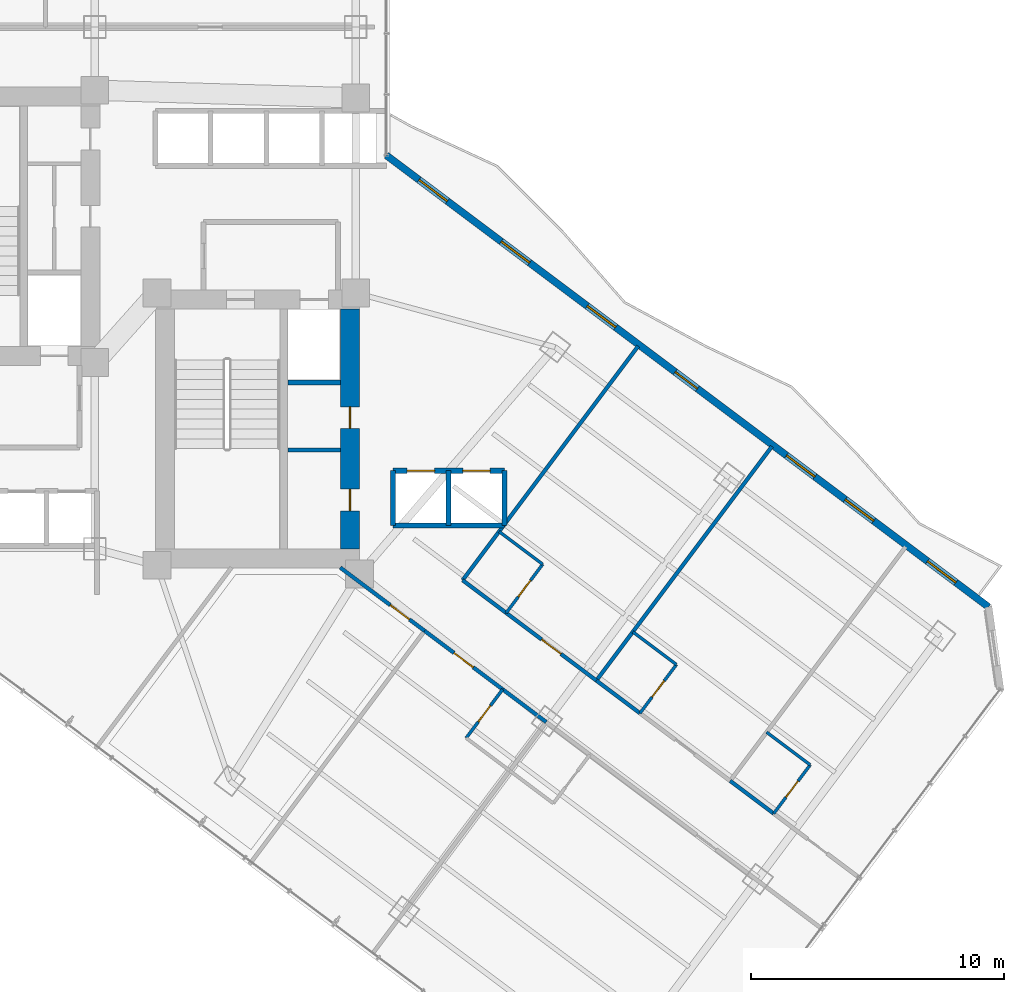
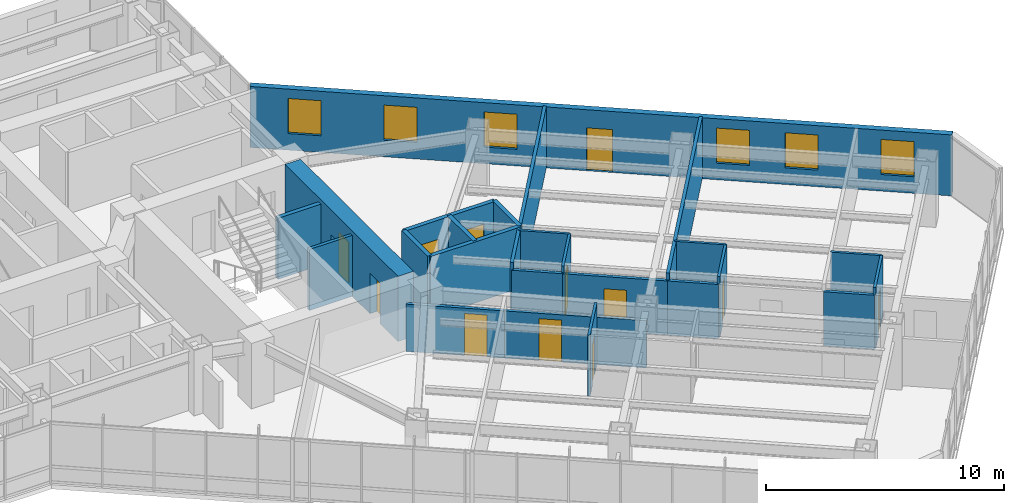
# One storey, part 29 of 36: 25 walls, 12 doors, 6 windows, 18 openings.
"""IFC4 building model written with IfcOpenShell, lengths in metres."""

from ifc_helpers import new_model, si_unit, direction, frame, frame_2d, origin, place, context, subcontext, project, spatial, rectangle, extrude, material, layer, layer_set, type_object, element, fill, save


model = new_model("IFC4")

# Units and contexts
model_context = context("Model", 3, precision=1e-05, world=origin(), true_north=direction((0.0, 1.0)))
body_context = subcontext(model_context, "Body", "Model", "MODEL_VIEW")
ifc_project = project(units=[si_unit("LENGTHUNIT", "METRE"), si_unit("AREAUNIT", "SQUARE_METRE"), si_unit("VOLUMEUNIT", "CUBIC_METRE"), si_unit("PLANEANGLEUNIT", "RADIAN"), si_unit("MASSUNIT", "GRAM", prefix="KILO")], contexts=[model_context])

# Site, building, storey
site_placement = place(None, origin())
site = spatial("IfcSite", under=ifc_project, at=site_placement, CompositionType="ELEMENT")
building_placement = place(site_placement, origin())
building = spatial("IfcBuilding", under=site, at=building_placement, Name="Hatsunagi Terrace Concourse", CompositionType="ELEMENT")
storey_placement = place(building_placement, frame((0.0, 0.0, 84.64990234375)))
storey = spatial("IfcBuildingStorey", under=building, at=storey_placement, Name="L22", CompositionType="ELEMENT", Elevation=84.64990234375)

# Wall, openings, doors
ifc_material_1 = material(Name="Concrete Fc60", Category="concrete")
ifc_layer_1 = layer(ifc_material_1, 0.75)
ifc_layer_set_1 = layer_set([ifc_layer_1], Name="CoreShearWall_Fc60_750")
wall_type_1 = type_object("IfcWallType", Name="CoreShearWall_Fc60_750", PredefinedType="SHEAR", material=ifc_layer_set_1)
wall_1_placement = place(storey_placement, frame((43.425048828125, 25.18994140625, 0.0), z_axis=(0.0, 0.0, 1.0), x_axis=(0.0, 1.0, 0.0)))
wall_1 = element("IfcWall", 1, at=wall_1_placement, inside=storey, type_object=wall_type_1, Name="Core B Shear Wall E L22", PredefinedType="SHEAR", context=body_context, shape_type="SweptSolid", body=[
    extrude(rectangle(XDim=9.47998046875, YDim=0.75, at=frame_2d((4.739990234375, 0.0))), origin(), (0.0, 0.0, 1.0), 3.35009765625),
])
opening_1_placement = place(wall_1_placement, frame((1.510009765625, 0.0, 0.0)))
opening_1 = element("IfcOpeningElement", 2, at=opening_1_placement, cuts=wall_1, Name="Opening DR-085", PredefinedType="OPENING", context=body_context, shape_type="SweptSolid", body=[
    extrude(rectangle(XDim=0.85009765625, YDim=2.080078125, at=frame_2d((0.425048828125, 1.0400390625))), frame((0.0, 0.385009765625, 0.0), z_axis=(0.0, -1.0, 0.0), x_axis=(1.0, 0.0, 0.0)), (0.0, 0.0, 1.0), 0.77001953125),
])
opening_2_placement = place(wall_1_placement, frame((4.760009765625, 0.0, 0.0)))
opening_2 = element("IfcOpeningElement", 3, at=opening_2_placement, cuts=wall_1, Name="Opening DR-085", PredefinedType="OPENING", context=body_context, shape_type="SweptSolid", body=[
    extrude(rectangle(XDim=0.85009765625, YDim=2.080078125, at=frame_2d((0.425048828125, 1.0400390625))), frame((0.0, 0.385009765625, 0.0), z_axis=(0.0, -1.0, 0.0), x_axis=(1.0, 0.0, 0.0)), (0.0, 0.0, 1.0), 0.77001953125),
])
ifc_material_2 = material(Name="Painted steel", Category="steel")
door_type_1 = type_object("IfcDoorType", Name="RiserAccessDoor_EI60_850", OperationType="NOTDEFINED", PredefinedType="DOOR", material=ifc_material_2)
door_1_placement = place(opening_1_placement, origin())
door_1 = element("IfcDoor", 4, at=door_1_placement, inside=storey, type_object=door_type_1, Name="Core B Riser Door L22-1", OperationType="SINGLE_SWING_RIGHT", OverallHeight=2.080078125, OverallWidth=0.85009765625, PredefinedType="DOOR", context=body_context, shape_type="SweptSolid", body=[
    extrude(rectangle(XDim=0.85009765625, YDim=2.080078125, at=frame_2d((0.425048828125, 1.0400390625))), frame((0.0, 0.02490234375, 0.0), z_axis=(0.0, -1.0, 0.0), x_axis=(1.0, 0.0, 0.0)), (0.0, 0.0, 1.0), 0.050048828125),
])
fill(opening_1, door_1)
door_2_placement = place(opening_2_placement, origin())
door_2 = element("IfcDoor", 5, at=door_2_placement, inside=storey, type_object=door_type_1, Name="Core B Riser Door L22-2", OperationType="SINGLE_SWING_RIGHT", OverallHeight=2.080078125, OverallWidth=0.85009765625, PredefinedType="DOOR", context=body_context, shape_type="SweptSolid", body=[
    extrude(rectangle(XDim=0.85009765625, YDim=2.080078125, at=frame_2d((0.425048828125, 1.0400390625))), frame((0.0, 0.02490234375, 0.0), z_axis=(0.0, -1.0, 0.0), x_axis=(1.0, 0.0, 0.0)), (0.0, 0.0, 1.0), 0.050048828125),
])
fill(opening_2, door_2)

# Wall, opening, door
ifc_material_3 = material(Name="Acoustic mineral board", Category="gypsum")
ifc_layer_2 = layer(ifc_material_3, 0.1201171875)
ifc_layer_set_2 = layer_set([ifc_layer_2], Name="PartitionWall_EI30_120")
wall_type_2 = type_object("IfcWallType", Name="PartitionWall_EI30_120", PredefinedType="PARTITIONING", material=ifc_layer_set_2)
wall_2_placement = place(storey_placement, frame((49.590087890625, 22.669921875, 0.0), z_axis=(0.0, 0.0, 1.0), x_axis=(0.599951172744, 0.800036618114, 0.0)))
wall_2 = element("IfcWall", 6, at=wall_2_placement, inside=storey, type_object=wall_type_2, Name="Interior Partition IW-L22-062", PredefinedType="PARTITIONING", context=body_context, shape_type="SweptSolid", body=[
    extrude(rectangle(XDim=2.400146484375, YDim=0.1201171875, at=frame_2d((1.2001953125, 0.0))), origin(), (0.0, 0.0, 1.0), 3.130126953125),
])
opening_3_placement = place(wall_2_placement, frame((0.800048828125, 0.0, 0.0)))
opening_3 = element("IfcOpeningElement", 7, at=opening_3_placement, cuts=wall_2, Name="Opening DR-080", PredefinedType="OPENING", context=body_context, shape_type="SweptSolid", body=[
    extrude(rectangle(XDim=0.800048828125, YDim=2.06005859375, at=frame_2d((0.39990234375, 1.030029296875))), frame((0.0, 0.070068359375, 0.0), z_axis=(0.0, -1.0, 0.0), x_axis=(1.0, 0.0, 0.0)), (0.0, 0.0, 1.0), 0.14013671875),
])
ifc_material_4 = material(Name="Hardwood timber", Category="wood")
door_type_2 = type_object("IfcDoorType", Name="BathroomDoor_800", OperationType="NOTDEFINED", PredefinedType="DOOR", material=ifc_material_4)
door_3_placement = place(opening_3_placement, origin())
door_3 = element("IfcDoor", 8, at=door_3_placement, inside=storey, type_object=door_type_2, Name="En-Suite Bathroom L22-SENE1 Door", OperationType="SINGLE_SWING_LEFT", OverallHeight=2.06005859375, OverallWidth=0.800048828125, PredefinedType="DOOR", context=body_context, shape_type="SweptSolid", body=[
    extrude(rectangle(XDim=0.800048828125, YDim=2.06005859375, at=frame_2d((0.39990234375, 1.030029296875))), frame((0.0, 0.02490234375, 0.0), z_axis=(0.0, -1.0, 0.0), x_axis=(1.0, 0.0, 0.0)), (0.0, 0.0, 1.0), 0.050048828125),
])
fill(opening_3, door_3)

# Wall
wall_3_placement = place(storey_placement, frame((49.31005859375, 25.8798828125, 0.0), z_axis=(0.0, 0.0, 1.0), x_axis=(0.800040880289, -0.59994548908, 0.0)))
element("IfcWall", 9, at=wall_3_placement, inside=storey, type_object=wall_type_2, Name="Interior Partition IW-L22-063", PredefinedType="PARTITIONING", context=body_context, shape_type="SweptSolid", body=[
    extrude(rectangle(XDim=2.14990234375, YDim=0.1201171875, at=frame_2d((1.074951171875, 0.0))), origin(), (0.0, 0.0, 1.0), 3.130126953125),
])

# Wall, opening, door
wall_4_placement = place(storey_placement, frame((54.8701171875, 18.7099609375, 0.0), z_axis=(0.0, 0.0, 1.0), x_axis=(0.6, 0.8, 0.0)))
wall_4 = element("IfcWall", 10, at=wall_4_placement, inside=storey, type_object=wall_type_2, Name="Interior Partition IW-L22-068", PredefinedType="PARTITIONING", context=body_context, shape_type="SweptSolid", body=[
    extrude(rectangle(XDim=2.39990234375, YDim=0.1201171875, at=frame_2d((1.199951171875, 0.0))), origin(), (0.0, 0.0, 1.0), 3.130126953125),
])
opening_4_placement = place(wall_4_placement, frame((0.800048828125, 0.0, 0.0)))
opening_4 = element("IfcOpeningElement", 11, at=opening_4_placement, cuts=wall_4, Name="Opening DR-080", PredefinedType="OPENING", context=body_context, shape_type="SweptSolid", body=[
    extrude(rectangle(XDim=0.800048828125, YDim=2.06005859375, at=frame_2d((0.39990234375, 1.030029296875))), frame((0.0, 0.070068359375, 0.0), z_axis=(0.0, -1.0, 0.0), x_axis=(1.0, 0.0, 0.0)), (0.0, 0.0, 1.0), 0.14013671875),
])
door_4_placement = place(opening_4_placement, origin())
door_4 = element("IfcDoor", 12, at=door_4_placement, inside=storey, type_object=door_type_2, Name="En-Suite Bathroom L22-SENE2 Door", OperationType="SINGLE_SWING_RIGHT", OverallHeight=2.06005859375, OverallWidth=0.800048828125, PredefinedType="DOOR", context=body_context, shape_type="SweptSolid", body=[
    extrude(rectangle(XDim=0.800048828125, YDim=2.06005859375, at=frame_2d((0.39990234375, 1.030029296875))), frame((0.0, 0.02490234375, 0.0), z_axis=(0.0, -1.0, 0.0), x_axis=(1.0, 0.0, 0.0)), (0.0, 0.0, 1.0), 0.050048828125),
])
fill(opening_4, door_4)

# Wall
wall_5_placement = place(storey_placement, frame((54.590087890625, 21.919921875, 0.0), z_axis=(0.0, 0.0, 1.0), x_axis=(0.79998637334, -0.60001816845, 0.0)))
element("IfcWall", 13, at=wall_5_placement, inside=storey, type_object=wall_type_2, Name="Interior Partition IW-L22-069", PredefinedType="PARTITIONING", context=body_context, shape_type="SweptSolid", body=[
    extrude(rectangle(XDim=2.14990234375, YDim=0.1201171875, at=frame_2d((1.074951171875, 0.0))), origin(), (0.0, 0.0, 1.0), 3.130126953125),
])

# Wall, opening, door
wall_6_placement = place(storey_placement, frame((60.14990234375, 14.75, 0.0), z_axis=(0.0, 0.0, 1.0), x_axis=(0.600065100855, 0.79995117022, 0.0)))
wall_6 = element("IfcWall", 14, at=wall_6_placement, inside=storey, type_object=wall_type_2, Name="Interior Partition IW-L22-073", PredefinedType="PARTITIONING", context=body_context, shape_type="SweptSolid", body=[
    extrude(rectangle(XDim=2.400146484375, YDim=0.1201171875, at=frame_2d((1.2001953125, 0.0))), origin(), (0.0, 0.0, 1.0), 3.130126953125),
])
opening_5_placement = place(wall_6_placement, frame((0.800048828125, 0.0, 0.0)))
opening_5 = element("IfcOpeningElement", 15, at=opening_5_placement, cuts=wall_6, Name="Opening DR-080", PredefinedType="OPENING", context=body_context, shape_type="SweptSolid", body=[
    extrude(rectangle(XDim=0.800048828125, YDim=2.06005859375, at=frame_2d((0.39990234375, 1.030029296875))), frame((0.0, 0.070068359375, 0.0), z_axis=(0.0, -1.0, 0.0), x_axis=(1.0, 0.0, 0.0)), (0.0, 0.0, 1.0), 0.14013671875),
])
door_5_placement = place(opening_5_placement, origin())
door_5 = element("IfcDoor", 16, at=door_5_placement, inside=storey, type_object=door_type_2, Name="En-Suite Bathroom L22-SENE3 Door", OperationType="SINGLE_SWING_LEFT", OverallHeight=2.06005859375, OverallWidth=0.800048828125, PredefinedType="DOOR", context=body_context, shape_type="SweptSolid", body=[
    extrude(rectangle(XDim=0.800048828125, YDim=2.06005859375, at=frame_2d((0.39990234375, 1.030029296875))), frame((0.0, 0.02490234375, 0.0), z_axis=(0.0, -1.0, 0.0), x_axis=(1.0, 0.0, 0.0)), (0.0, 0.0, 1.0), 0.050048828125),
])
fill(opening_5, door_5)

# Wall
wall_7_placement = place(storey_placement, frame((59.8701171875, 17.9599609375, 0.0), z_axis=(0.0, 0.0, 1.0), x_axis=(0.79998637334, -0.60001816845, 0.0)))
element("IfcWall", 17, at=wall_7_placement, inside=storey, type_object=wall_type_2, Name="Interior Partition IW-L22-074", PredefinedType="PARTITIONING", context=body_context, shape_type="SweptSolid", body=[
    extrude(rectangle(XDim=2.14990234375, YDim=0.1201171875, at=frame_2d((1.074951171875, 0.0))), origin(), (0.0, 0.0, 1.0), 3.130126953125),
])

# Wall, opening, door
wall_8_placement = place(storey_placement, frame((48.010009765625, 17.72998046875, 0.0), z_axis=(0.0, 0.0, 1.0), x_axis=(0.6, 0.8, 0.0)))
wall_8 = element("IfcWall", 18, at=wall_8_placement, inside=storey, type_object=wall_type_2, Name="Interior Partition IW-L22-077", PredefinedType="PARTITIONING", context=body_context, shape_type="SweptSolid", body=[
    extrude(rectangle(XDim=2.39990234375, YDim=0.1201171875, at=frame_2d((1.199951171875, 0.0))), origin(), (0.0, 0.0, 1.0), 3.130126953125),
])
opening_6_placement = place(wall_8_placement, frame((0.800048828125, 0.0, 0.0)))
opening_6 = element("IfcOpeningElement", 19, at=opening_6_placement, cuts=wall_8, Name="Opening DR-080", PredefinedType="OPENING", context=body_context, shape_type="SweptSolid", body=[
    extrude(rectangle(XDim=0.800048828125, YDim=2.06005859375, at=frame_2d((0.39990234375, 1.030029296875))), frame((0.0, 0.070068359375, 0.0), z_axis=(0.0, -1.0, 0.0), x_axis=(1.0, 0.0, 0.0)), (0.0, 0.0, 1.0), 0.14013671875),
])
door_6_placement = place(opening_6_placement, origin())
door_6 = element("IfcDoor", 20, at=door_6_placement, inside=storey, type_object=door_type_2, Name="En-Suite Bathroom L22-SESW1 Door", OperationType="SINGLE_SWING_LEFT", OverallHeight=2.06005859375, OverallWidth=0.800048828125, PredefinedType="DOOR", context=body_context, shape_type="SweptSolid", body=[
    extrude(rectangle(XDim=0.800048828125, YDim=2.06005859375, at=frame_2d((0.39990234375, 1.030029296875))), frame((0.0, 0.02490234375, 0.0), z_axis=(0.0, -1.0, 0.0), x_axis=(1.0, 0.0, 0.0)), (0.0, 0.0, 1.0), 0.050048828125),
])
fill(opening_6, door_6)

# Wall
ifc_material_5 = material(Name="Acoustic mineral board", Category="gypsum")
ifc_layer_3 = layer(ifc_material_5, 0.14990234375)
ifc_layer_set_3 = layer_set([ifc_layer_3], Name="PartitionWall_EI60_150")
wall_type_3 = type_object("IfcWallType", Name="PartitionWall_EI60_150", PredefinedType="PARTITIONING", material=ifc_layer_set_3)
wall_9_placement = place(storey_placement, frame((40.969970703125, 29.10009765625, 0.0), z_axis=(0.0, 0.0, 1.0), x_axis=(1.0, 0.0, 0.0)))
element("IfcWall", 21, at=wall_9_placement, inside=storey, type_object=wall_type_3, Name="Interior Partition IW-L22-005", PredefinedType="PARTITIONING", context=body_context, shape_type="SweptSolid", body=[
    extrude(rectangle(XDim=2.080078125, YDim=0.14990234375, at=frame_2d((1.0400390625, 0.0))), origin(), (0.0, 0.0, 1.0), 3.130126953125),
])

# Wall, opening, door
wall_10_placement = place(storey_placement, frame((43.037109375, 24.4599609375, 0.0), z_axis=(0.0, 0.0, 1.0), x_axis=(0.799971872363, -0.600037501685, 0.0)))
wall_10 = element("IfcWall", 22, at=wall_10_placement, inside=storey, type_object=wall_type_3, Name="Interior Partition IW-L22-042", PredefinedType="PARTITIONING", context=body_context, shape_type="SweptSolid", body=[
    extrude(rectangle(XDim=4.16650390625, YDim=0.14990234375, at=frame_2d((2.083251953125, 0.0))), origin(), (0.0, 0.0, 1.0), 2.425048828125),
])
opening_7_placement = place(wall_10_placement, frame((2.468017578125, 0.0, 0.0)))
opening_7 = element("IfcOpeningElement", 23, at=opening_7_placement, cuts=wall_10, Name="Opening DR-095", PredefinedType="OPENING", context=body_context, shape_type="SweptSolid", body=[
    extrude(rectangle(XDim=0.949951171875, YDim=2.14990234375, at=frame_2d((0.47509765625, 1.074951171875))), frame((0.0, 0.0849609375, 0.0), z_axis=(0.0, -1.0, 0.0), x_axis=(1.0, 0.0, 0.0)), (0.0, 0.0, 1.0), 0.169921875),
])
ifc_material_6 = material(Name="Hardwood timber", Category="wood")
door_type_3 = type_object("IfcDoorType", Name="InteriorSuiteDoor_EI30_950", OperationType="NOTDEFINED", PredefinedType="DOOR", material=ifc_material_6)
door_7_placement = place(opening_7_placement, origin())
door_7 = element("IfcDoor", 24, at=door_7_placement, inside=storey, type_object=door_type_3, Name="Meeting Room L22-HMTG Door", OperationType="SINGLE_SWING_RIGHT", OverallHeight=2.14990234375, OverallWidth=0.949951171875, PredefinedType="DOOR", context=body_context, shape_type="SweptSolid", body=[
    extrude(rectangle(XDim=0.949951171875, YDim=2.14990234375, at=frame_2d((0.47509765625, 1.074951171875))), frame((0.0, 0.02490234375, 0.0), z_axis=(0.0, -1.0, 0.0), x_axis=(1.0, 0.0, 0.0)), (0.0, 0.0, 1.0), 0.050048828125),
])
fill(opening_7, door_7)

# Wall
wall_11_placement = place(storey_placement, frame((47.8701171875, 23.9599609375, 0.0), z_axis=(0.0, 0.0, 1.0), x_axis=(0.79998637334, -0.60001816845, 0.0)))
element("IfcWall", 25, at=wall_11_placement, inside=storey, type_object=wall_type_3, Name="Interior Partition IW-L22-060", PredefinedType="PARTITIONING", context=body_context, shape_type="SweptSolid", body=[
    extrude(rectangle(XDim=2.14990234375, YDim=0.14990234375, at=frame_2d((1.074951171875, 0.0))), origin(), (0.0, 0.0, 1.0), 2.775146484375),
])

# Wall, opening, door
wall_12_placement = place(storey_placement, frame((49.590087890625, 22.669921875, 0.0), z_axis=(0.0, 0.0, 1.0), x_axis=(0.799993416095, -0.600008778439, 0.0)))
wall_12 = element("IfcWall", 26, at=wall_12_placement, inside=storey, type_object=wall_type_3, Name="Interior Partition IW-L22-061", PredefinedType="PARTITIONING", context=body_context, shape_type="SweptSolid", body=[
    extrude(rectangle(XDim=4.44970703125, YDim=0.14990234375, at=frame_2d((2.224853515625, 0.0))), origin(), (0.0, 0.0, 1.0), 2.775146484375),
])
opening_8_placement = place(wall_12_placement, frame((1.75, 0.0, 0.0)))
opening_8 = element("IfcOpeningElement", 27, at=opening_8_placement, cuts=wall_12, Name="Opening DR-095", PredefinedType="OPENING", context=body_context, shape_type="SweptSolid", body=[
    extrude(rectangle(XDim=0.949951171875, YDim=2.14990234375, at=frame_2d((0.47509765625, 1.074951171875))), frame((0.0, 0.0849609375, 0.0), z_axis=(0.0, -1.0, 0.0), x_axis=(1.0, 0.0, 0.0)), (0.0, 0.0, 1.0), 0.169921875),
])
door_8_placement = place(opening_8_placement, origin())
door_8 = element("IfcDoor", 28, at=door_8_placement, inside=storey, type_object=door_type_3, Name="Hotel Guest Room L22-SENE1 Door", OperationType="SINGLE_SWING_LEFT", OverallHeight=2.14990234375, OverallWidth=0.949951171875, PredefinedType="DOOR", context=body_context, shape_type="SweptSolid", body=[
    extrude(rectangle(XDim=0.949951171875, YDim=2.14990234375, at=frame_2d((0.47509765625, 1.074951171875))), frame((0.0, 0.02490234375, 0.0), z_axis=(0.0, -1.0, 0.0), x_axis=(1.0, 0.0, 0.0)), (0.0, 0.0, 1.0), 0.050048828125),
])
fill(opening_8, door_8)

# Walls
for number, where, z_axis, x_axis, name in (
    (29, (47.8701171875, 23.9599609375, 0.0), (0.0, 0.0, 1.0), (0.599996617946, 0.80000253653, 0.0), "Interior Partition IW-L22-064"),
    (30, (53.14990234375, 20.0, 0.0), (0.0, 0.0, 1.0), (0.60001014597, 0.799992390422, 0.0), "Interior Partition IW-L22-065"),
):
    element("IfcWall", number, at=place(storey_placement, frame(where, z_axis=z_axis, x_axis=x_axis)), inside=storey, type_object=wall_type_3, Name=name, PredefinedType="PARTITIONING", context=body_context, shape_type="SweptSolid", body=[
        extrude(rectangle(XDim=11.550048828125, YDim=0.14990234375, at=frame_2d((5.77490234375, 0.0))), origin(), (0.0, 0.0, 1.0), 3.130126953125),
    ])
wall_13_placement = place(storey_placement, frame((53.14990234375, 20.0, 0.0), z_axis=(0.0, 0.0, 1.0), x_axis=(0.800027249606, -0.599963665473, 0.0)))
element("IfcWall", 31, at=wall_13_placement, inside=storey, type_object=wall_type_3, Name="Interior Partition IW-L22-066", PredefinedType="PARTITIONING", context=body_context, shape_type="SweptSolid", body=[
    extrude(rectangle(XDim=2.150146484375, YDim=0.14990234375, at=frame_2d((1.0751953125, 0.0))), origin(), (0.0, 0.0, 1.0), 2.775146484375),
])
wall_14_placement = place(storey_placement, frame((58.429931640625, 16.0400390625, 0.0), z_axis=(0.0, 0.0, 1.0), x_axis=(0.79998637334, -0.60001816845, 0.0)))
element("IfcWall", 32, at=wall_14_placement, inside=storey, type_object=wall_type_3, Name="Interior Partition IW-L22-071", PredefinedType="PARTITIONING", context=body_context, shape_type="SweptSolid", body=[
    extrude(rectangle(XDim=2.14990234375, YDim=0.14990234375, at=frame_2d((1.074951171875, 0.0))), origin(), (0.0, 0.0, 1.0), 2.775146484375),
])

# Wall, opening, door
wall_15_placement = place(storey_placement, frame((46.3701171875, 21.9599609375, 0.0), z_axis=(0.0, 0.0, 1.0), x_axis=(0.799977170108, -0.600030438649, 0.0)))
wall_15 = element("IfcWall", 33, at=wall_15_placement, inside=storey, type_object=wall_type_3, Name="Interior Partition IW-L22-075", PredefinedType="PARTITIONING", context=body_context, shape_type="SweptSolid", body=[
    extrude(rectangle(XDim=3.849853515625, YDim=0.14990234375, at=frame_2d((1.9248046875, 0.0))), origin(), (0.0, 0.0, 1.0), 2.425048828125),
])
opening_9_placement = place(wall_15_placement, frame((1.449951171875, 0.0, 0.0)))
opening_9 = element("IfcOpeningElement", 34, at=opening_9_placement, cuts=wall_15, Name="Opening DR-095", PredefinedType="OPENING", context=body_context, shape_type="SweptSolid", body=[
    extrude(rectangle(XDim=0.949951171875, YDim=2.14990234375, at=frame_2d((0.47509765625, 1.074951171875))), frame((0.0, 0.0849609375, 0.0), z_axis=(0.0, -1.0, 0.0), x_axis=(1.0, 0.0, 0.0)), (0.0, 0.0, 1.0), 0.169921875),
])
door_9_placement = place(opening_9_placement, origin())
door_9 = element("IfcDoor", 35, at=door_9_placement, inside=storey, type_object=door_type_3, Name="Hotel Guest Room L22-SESW1 Door", OperationType="SINGLE_SWING_RIGHT", OverallHeight=2.14990234375, OverallWidth=0.949951171875, PredefinedType="DOOR", context=body_context, shape_type="SweptSolid", body=[
    extrude(rectangle(XDim=0.949951171875, YDim=2.14990234375, at=frame_2d((0.47509765625, 1.074951171875))), frame((0.0, 0.02490234375, 0.0), z_axis=(0.0, -1.0, 0.0), x_axis=(1.0, 0.0, 0.0)), (0.0, 0.0, 1.0), 0.050048828125),
])
fill(opening_9, door_9)

# Walls
wall_16_placement = place(storey_placement, frame((49.449951171875, 19.64990234375, 0.0), z_axis=(0.0, 0.0, 1.0), x_axis=(0.800040880289, -0.59994548908, 0.0)))
element("IfcWall", 36, at=wall_16_placement, inside=storey, type_object=wall_type_3, Name="Interior Partition IW-L22-076", PredefinedType="PARTITIONING", context=body_context, shape_type="SweptSolid", body=[
    extrude(rectangle(XDim=2.14990234375, YDim=0.14990234375, at=frame_2d((1.074951171875, 0.0))), origin(), (0.0, 0.0, 1.0), 2.425048828125),
])
ifc_material_7 = material(Name="Acoustic mineral board", Category="gypsum")
ifc_layer_4 = layer(ifc_material_7, 0.199951171875)
ifc_layer_set_4 = layer_set([ifc_layer_4], Name="ShaftWall_EI120_200")
wall_type_4 = type_object("IfcWallType", Name="ShaftWall_EI120_200", PredefinedType="STANDARD", material=ifc_layer_set_4)
wall_17_placement = place(storey_placement, frame((40.969970703125, 31.760009765625, 0.0), z_axis=(0.0, 0.0, 1.0), x_axis=(1.0, 0.0, 0.0)))
element("IfcWall", 37, at=wall_17_placement, inside=storey, type_object=wall_type_4, Name="Interior Partition IW-L22-004", PredefinedType="STANDARD", context=body_context, shape_type="SweptSolid", body=[
    extrude(rectangle(XDim=2.080078125, YDim=0.199951171875, at=frame_2d((1.0400390625, 0.0))), origin(), (0.0, 0.0, 1.0), 3.130126953125),
])
wall_18_placement = place(storey_placement, frame((45.1201171875, 26.1201171875, 0.0), z_axis=(0.0, 0.0, 1.0), x_axis=(1.0, 0.0, 0.0)))
element("IfcWall", 38, at=wall_18_placement, inside=storey, type_object=wall_type_4, Name="Interior Partition IW-L22-025", PredefinedType="STANDARD", context=body_context, shape_type="SweptSolid", body=[
    extrude(rectangle(XDim=4.39990234375, YDim=0.199951171875, at=frame_2d((2.199951171875, 0.0))), origin(), (0.0, 0.0, 1.0), 3.130126953125),
])
for number, where, z_axis, x_axis, name in (
    (39, (45.1201171875, 26.1201171875, 0.0), (0.0, 0.0, 1.0), (0.0, 1.0, 0.0), "Interior Partition IW-L22-026"),
    (40, (49.52001953125, 26.1201171875, 0.0), (0.0, 0.0, 1.0), (0.0, 1.0, 0.0), "Interior Partition IW-L22-027"),
    (41, (47.320068359375, 26.1201171875, 0.0), (0.0, 0.0, 1.0), (0.0, 1.0, 0.0), "Interior Partition IW-L22-028"),
):
    element("IfcWall", number, at=place(storey_placement, frame(where, z_axis=z_axis, x_axis=x_axis)), inside=storey, type_object=wall_type_4, Name=name, PredefinedType="STANDARD", context=body_context, shape_type="SweptSolid", body=[
        extrude(rectangle(XDim=2.159912109375, YDim=0.199951171875, at=frame_2d((1.080078125, 0.0))), origin(), (0.0, 0.0, 1.0), 3.130126953125),
    ])

# Wall, openings, doors
wall_19_placement = place(storey_placement, frame((45.1201171875, 28.280029296875, 0.0), z_axis=(0.0, 0.0, 1.0), x_axis=(1.0, 0.0, 0.0)))
wall_19 = element("IfcWall", 42, at=wall_19_placement, inside=storey, type_object=wall_type_4, Name="Interior Partition IW-L22-029", PredefinedType="STANDARD", context=body_context, shape_type="SweptSolid", body=[
    extrude(rectangle(XDim=4.39990234375, YDim=0.199951171875, at=frame_2d((2.199951171875, 0.0))), origin(), (0.0, 0.0, 1.0), 3.130126953125),
])
opening_10_placement = place(wall_19_placement, frame((0.56005859375, 0.0, 0.0)))
opening_10 = element("IfcOpeningElement", 43, at=opening_10_placement, cuts=wall_19, Name="Opening LD-03", PredefinedType="OPENING", context=body_context, shape_type="SweptSolid", body=[
    extrude(rectangle(XDim=1.080078125, YDim=2.14990234375, at=frame_2d((0.5400390625, 1.074951171875))), frame((0.0, 0.10986328125, 0.0), z_axis=(0.0, -1.0, 0.0), x_axis=(1.0, 0.0, 0.0)), (0.0, 0.0, 1.0), 0.219970703125),
])
opening_11_placement = place(wall_19_placement, frame((2.760009765625, 0.0, 0.0)))
opening_11 = element("IfcOpeningElement", 44, at=opening_11_placement, cuts=wall_19, Name="Opening LD-03", PredefinedType="OPENING", context=body_context, shape_type="SweptSolid", body=[
    extrude(rectangle(XDim=1.080078125, YDim=2.14990234375, at=frame_2d((0.5400390625, 1.074951171875))), frame((0.0, 0.10986328125, 0.0), z_axis=(0.0, -1.0, 0.0), x_axis=(1.0, 0.0, 0.0)), (0.0, 0.0, 1.0), 0.219970703125),
])
ifc_material_8 = material(Name="Stainless steel", Category="steel")
door_type_4 = type_object("IfcDoorType", Name="LiftLandingDoor_LD03", OperationType="SLIDING_TO_LEFT", PredefinedType="USERDEFINED", material=ifc_material_8)
door_10_placement = place(opening_10_placement, origin())
door_10 = element("IfcDoor", 45, at=door_10_placement, inside=storey, type_object=door_type_4, Name="Lift landing door PL-09 L22", ObjectType="SLIDING_LANDING_DOOR", OperationType="SLIDING_TO_LEFT", OverallHeight=2.14990234375, OverallWidth=1.080078125, PredefinedType="USERDEFINED", context=body_context, shape_type="SweptSolid", body=[
    extrude(rectangle(XDim=1.080078125, YDim=2.14990234375, at=frame_2d((0.5400390625, 1.074951171875))), frame((0.0, 0.02490234375, 0.0), z_axis=(0.0, -1.0, 0.0), x_axis=(1.0, 0.0, 0.0)), (0.0, 0.0, 1.0), 0.050048828125),
])
fill(opening_10, door_10)
door_11_placement = place(opening_11_placement, origin())
door_11 = element("IfcDoor", 46, at=door_11_placement, inside=storey, type_object=door_type_4, Name="Lift landing door PL-10 L22", ObjectType="SLIDING_LANDING_DOOR", OperationType="SLIDING_TO_LEFT", OverallHeight=2.14990234375, OverallWidth=1.080078125, PredefinedType="USERDEFINED", context=body_context, shape_type="SweptSolid", body=[
    extrude(rectangle(XDim=1.080078125, YDim=2.14990234375, at=frame_2d((0.5400390625, 1.074951171875))), frame((0.0, 0.02490234375, 0.0), z_axis=(0.0, -1.0, 0.0), x_axis=(1.0, 0.0, 0.0)), (0.0, 0.0, 1.0), 0.050048828125),
])
fill(opening_11, door_11)

# Wall, openings, door, windows
ifc_material_9 = material(Name="Autoclaved Lightweight Concrete and Terracotta Cladding", Category="masonry")
ifc_layer_5 = layer(ifc_material_9, 0.280029296875)
ifc_layer_set_5 = layer_set([ifc_layer_5], Name="TerracottaSpandrelWall_280")
wall_type_5 = type_object("IfcWallType", Name="TerracottaSpandrelWall_280", PredefinedType="STANDARD", material=ifc_layer_set_5)
wall_20_placement = place(storey_placement, frame((44.860107421875, 40.72998046875, 0.0), z_axis=(0.0, 0.0, 1.0), x_axis=(0.800006902154, -0.599990797017, 0.0)))
wall_20 = element("IfcWall", 47, at=wall_20_placement, inside=storey, type_object=wall_type_5, Name="Exterior Spandrel Wall EW-L22-01", PredefinedType="STANDARD", context=body_context, shape_type="SweptSolid", body=[
    extrude(rectangle(XDim=29.7119140625, YDim=0.280029296875, at=frame_2d((14.85595703125, 0.0))), origin(), (0.0, 0.0, 1.0), 3.130126953125),
])
opening_12_placement = place(wall_20_placement, frame((14.2490234375, 0.0, 0.0)))
opening_12 = element("IfcOpeningElement", 48, at=opening_12_placement, cuts=wall_20, Name="Opening BD-01", PredefinedType="OPENING", context=body_context, shape_type="SweptSolid", body=[
    extrude(rectangle(XDim=1.10009765625, YDim=2.199951171875, at=frame_2d((0.550048828125, 1.10009765625))), frame((0.0, 0.14990234375, 0.0), z_axis=(0.0, -1.0, 0.0), x_axis=(1.0, 0.0, 0.0)), (0.0, 0.0, 1.0), 0.300048828125),
])
opening_13_placement = place(wall_20_placement, frame((1.612060546875, 0.0, 0.85009765625)))
opening_13 = element("IfcOpeningElement", 49, at=opening_13_placement, cuts=wall_20, Name="Opening WIN-02", PredefinedType="OPENING", context=body_context, shape_type="SweptSolid", body=[
    extrude(rectangle(XDim=1.39990234375, YDim=1.800048828125, at=frame_2d((0.699951171875, 0.89990234375))), frame((0.0, 0.14990234375, 0.0), z_axis=(0.0, -1.0, 0.0), x_axis=(1.0, 0.0, 0.0)), (0.0, 0.0, 1.0), 0.300048828125),
])
opening_14_placement = place(wall_20_placement, frame((5.6669921875, 0.0, 0.85009765625)))
opening_14 = element("IfcOpeningElement", 50, at=opening_14_placement, cuts=wall_20, Name="Opening WIN-02", PredefinedType="OPENING", context=body_context, shape_type="SweptSolid", body=[
    extrude(rectangle(XDim=1.39990234375, YDim=1.800048828125, at=frame_2d((0.699951171875, 0.89990234375))), frame((0.0, 0.14990234375, 0.0), z_axis=(0.0, -1.0, 0.0), x_axis=(1.0, 0.0, 0.0)), (0.0, 0.0, 1.0), 0.300048828125),
])
opening_15_placement = place(wall_20_placement, frame((9.912109375, 0.0, 0.85009765625)))
opening_15 = element("IfcOpeningElement", 51, at=opening_15_placement, cuts=wall_20, Name="Opening WIN-02", PredefinedType="OPENING", context=body_context, shape_type="SweptSolid", body=[
    extrude(rectangle(XDim=1.39990234375, YDim=1.800048828125, at=frame_2d((0.699951171875, 0.89990234375))), frame((0.0, 0.14990234375, 0.0), z_axis=(0.0, -1.0, 0.0), x_axis=(1.0, 0.0, 0.0)), (0.0, 0.0, 1.0), 0.300048828125),
])
opening_16_placement = place(wall_20_placement, frame((19.742919921875, 0.0, 0.85009765625)))
opening_16 = element("IfcOpeningElement", 52, at=opening_16_placement, cuts=wall_20, Name="Opening WIN-02", PredefinedType="OPENING", context=body_context, shape_type="SweptSolid", body=[
    extrude(rectangle(XDim=1.39990234375, YDim=1.800048828125, at=frame_2d((0.699951171875, 0.89990234375))), frame((0.0, 0.14990234375, 0.0), z_axis=(0.0, -1.0, 0.0), x_axis=(1.0, 0.0, 0.0)), (0.0, 0.0, 1.0), 0.300048828125),
])
opening_17_placement = place(wall_20_placement, frame((22.64501953125, 0.0, 0.85009765625)))
opening_17 = element("IfcOpeningElement", 53, at=opening_17_placement, cuts=wall_20, Name="Opening WIN-02", PredefinedType="OPENING", context=body_context, shape_type="SweptSolid", body=[
    extrude(rectangle(XDim=1.39990234375, YDim=1.800048828125, at=frame_2d((0.699951171875, 0.89990234375))), frame((0.0, 0.14990234375, 0.0), z_axis=(0.0, -1.0, 0.0), x_axis=(1.0, 0.0, 0.0)), (0.0, 0.0, 1.0), 0.300048828125),
])
opening_18_placement = place(wall_20_placement, frame((26.699951171875, 0.0, 0.85009765625)))
opening_18 = element("IfcOpeningElement", 54, at=opening_18_placement, cuts=wall_20, Name="Opening WIN-02", PredefinedType="OPENING", context=body_context, shape_type="SweptSolid", body=[
    extrude(rectangle(XDim=1.39990234375, YDim=1.800048828125, at=frame_2d((0.699951171875, 0.89990234375))), frame((0.0, 0.14990234375, 0.0), z_axis=(0.0, -1.0, 0.0), x_axis=(1.0, 0.0, 0.0)), (0.0, 0.0, 1.0), 0.300048828125),
])
ifc_material_10 = material(Name="Galvanised Steel and Laminated Safety Glass", Category="steel")
door_type_5 = type_object("IfcDoorType", Name="BalconyTerraceAccessDoor_1100x2200", OperationType="SINGLE_SWING_LEFT", PredefinedType="DOOR", material=ifc_material_10)
door_12_placement = place(opening_12_placement, origin())
door_12 = element("IfcDoor", 55, at=door_12_placement, inside=storey, type_object=door_type_5, Name="Engawa Balcony Door L22-BSE", OperationType="SINGLE_SWING_LEFT", OverallHeight=2.199951171875, OverallWidth=1.10009765625, PredefinedType="DOOR", context=body_context, shape_type="SweptSolid", body=[
    extrude(rectangle(XDim=1.10009765625, YDim=2.199951171875, at=frame_2d((0.550048828125, 1.10009765625))), frame((0.0, 0.02490234375, 0.0), z_axis=(0.0, -1.0, 0.0), x_axis=(1.0, 0.0, 0.0)), (0.0, 0.0, 1.0), 0.050048828125),
])
fill(opening_12, door_12)
ifc_material_11 = material(Name="Thermally Broken Aluminium and Low-E Triple Glazing", Category="aluminium")
window_type = type_object("IfcWindowType", Name="HotelOperableVentWindow_1400x1800", PartitioningType="DOUBLE_PANEL_VERTICAL", PredefinedType="WINDOW", material=ifc_material_11)
window_1_placement = place(opening_13_placement, origin())
window_1 = element("IfcWindow", 56, at=window_1_placement, inside=storey, type_object=window_type, Name="Balcony Daylighting Window L22-01-1", OverallHeight=1.800048828125, OverallWidth=1.39990234375, PartitioningType="SINGLE_PANEL", PredefinedType="WINDOW", context=body_context, shape_type="SweptSolid", body=[
    extrude(rectangle(XDim=1.39990234375, YDim=1.800048828125, at=frame_2d((0.699951171875, 0.89990234375))), frame((0.0, 0.030029296875, 0.0), z_axis=(0.0, -1.0, 0.0), x_axis=(1.0, 0.0, 0.0)), (0.0, 0.0, 1.0), 0.06005859375),
])
fill(opening_13, window_1)
window_2_placement = place(opening_14_placement, origin())
window_2 = element("IfcWindow", 57, at=window_2_placement, inside=storey, type_object=window_type, Name="Balcony Daylighting Window L22-01-2", OverallHeight=1.800048828125, OverallWidth=1.39990234375, PartitioningType="SINGLE_PANEL", PredefinedType="WINDOW", context=body_context, shape_type="SweptSolid", body=[
    extrude(rectangle(XDim=1.39990234375, YDim=1.800048828125, at=frame_2d((0.699951171875, 0.89990234375))), frame((0.0, 0.030029296875, 0.0), z_axis=(0.0, -1.0, 0.0), x_axis=(1.0, 0.0, 0.0)), (0.0, 0.0, 1.0), 0.06005859375),
])
fill(opening_14, window_2)
window_3_placement = place(opening_15_placement, origin())
window_3 = element("IfcWindow", 58, at=window_3_placement, inside=storey, type_object=window_type, Name="Balcony Daylighting Window L22-01-3", OverallHeight=1.800048828125, OverallWidth=1.39990234375, PartitioningType="SINGLE_PANEL", PredefinedType="WINDOW", context=body_context, shape_type="SweptSolid", body=[
    extrude(rectangle(XDim=1.39990234375, YDim=1.800048828125, at=frame_2d((0.699951171875, 0.89990234375))), frame((0.0, 0.030029296875, 0.0), z_axis=(0.0, -1.0, 0.0), x_axis=(1.0, 0.0, 0.0)), (0.0, 0.0, 1.0), 0.06005859375),
])
fill(opening_15, window_3)
window_4_placement = place(opening_16_placement, origin())
window_4 = element("IfcWindow", 59, at=window_4_placement, inside=storey, type_object=window_type, Name="Balcony Daylighting Window L22-01-5", OverallHeight=1.800048828125, OverallWidth=1.39990234375, PartitioningType="SINGLE_PANEL", PredefinedType="WINDOW", context=body_context, shape_type="SweptSolid", body=[
    extrude(rectangle(XDim=1.39990234375, YDim=1.800048828125, at=frame_2d((0.699951171875, 0.89990234375))), frame((0.0, 0.030029296875, 0.0), z_axis=(0.0, -1.0, 0.0), x_axis=(1.0, 0.0, 0.0)), (0.0, 0.0, 1.0), 0.06005859375),
])
fill(opening_16, window_4)
window_5_placement = place(opening_17_placement, origin())
window_5 = element("IfcWindow", 60, at=window_5_placement, inside=storey, type_object=window_type, Name="Balcony Daylighting Window L22-01-6", OverallHeight=1.800048828125, OverallWidth=1.39990234375, PartitioningType="SINGLE_PANEL", PredefinedType="WINDOW", context=body_context, shape_type="SweptSolid", body=[
    extrude(rectangle(XDim=1.39990234375, YDim=1.800048828125, at=frame_2d((0.699951171875, 0.89990234375))), frame((0.0, 0.030029296875, 0.0), z_axis=(0.0, -1.0, 0.0), x_axis=(1.0, 0.0, 0.0)), (0.0, 0.0, 1.0), 0.06005859375),
])
fill(opening_17, window_5)
window_6_placement = place(opening_18_placement, origin())
window_6 = element("IfcWindow", 61, at=window_6_placement, inside=storey, type_object=window_type, Name="Balcony Daylighting Window L22-01-7", OverallHeight=1.800048828125, OverallWidth=1.39990234375, PartitioningType="SINGLE_PANEL", PredefinedType="WINDOW", context=body_context, shape_type="SweptSolid", body=[
    extrude(rectangle(XDim=1.39990234375, YDim=1.800048828125, at=frame_2d((0.699951171875, 0.89990234375))), frame((0.0, 0.030029296875, 0.0), z_axis=(0.0, -1.0, 0.0), x_axis=(1.0, 0.0, 0.0)), (0.0, 0.0, 1.0), 0.06005859375),
])
fill(opening_18, window_6)

save(model, "model.ifc")
